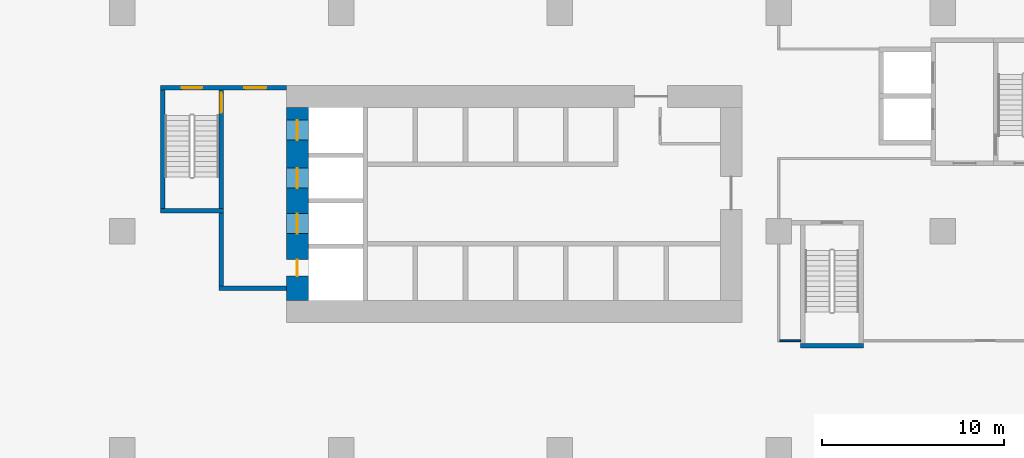
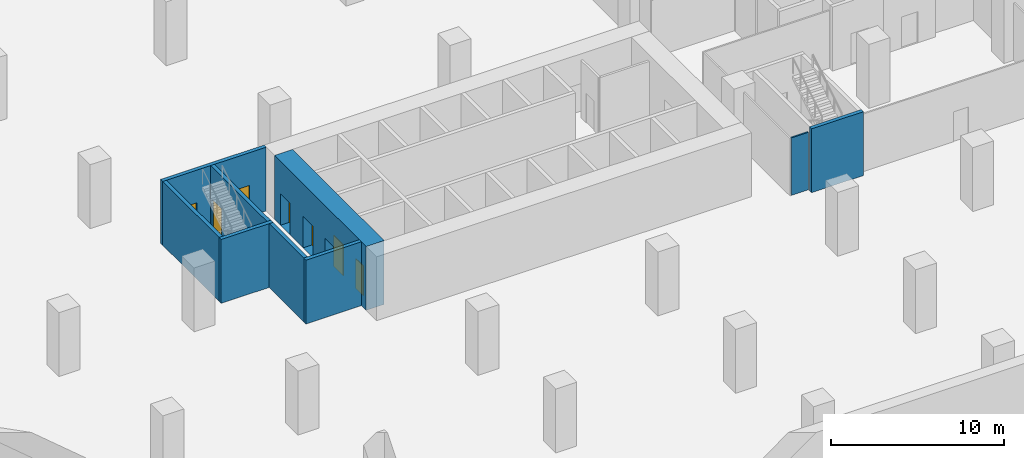
# One storey, part 2 of 9: 9 walls, 7 doors, 7 openings.
"""IFC4 building model written with IfcOpenShell, lengths in metres."""

from ifc_helpers import new_model, si_unit, direction, frame, frame_2d, origin, place, context, subcontext, project, spatial, rectangle, extrude, material, layer, layer_set, type_object, element, fill, save


model = new_model("IFC4")

# Units and contexts
model_context = context("Model", 3, precision=1e-05, world=origin(), true_north=direction((0.0, 1.0)))
body_context = subcontext(model_context, "Body", "Model", "MODEL_VIEW")
ifc_project = project(units=[si_unit("LENGTHUNIT", "METRE"), si_unit("AREAUNIT", "SQUARE_METRE"), si_unit("VOLUMEUNIT", "CUBIC_METRE"), si_unit("PLANEANGLEUNIT", "RADIAN"), si_unit("MASSUNIT", "GRAM", prefix="KILO")], contexts=[model_context])

# Site, building, storey
site_placement = place(None, origin())
site = spatial("IfcSite", under=ifc_project, at=site_placement, CompositionType="ELEMENT")
building_placement = place(site_placement, origin())
building = spatial("IfcBuilding", under=site, at=building_placement, Name="Chenar Terraces", CompositionType="ELEMENT")
storey_placement = place(building_placement, frame((0.0, 0.0, -4.5)))
storey = spatial("IfcBuildingStorey", under=building, at=storey_placement, Name="B1", CompositionType="ELEMENT", Elevation=-4.5)

# Wall, openings, doors
ifc_material_1 = material(Name="Concrete C70/85", Category="concrete")
ifc_layer_1 = layer(ifc_material_1, 1.199951171875)
ifc_layer_set_1 = layer_set([ifc_layer_1], Name="Concrete C70/85")
wall_type_1 = type_object("IfcWallType", Name="Core wall 1200 Concrete C70/85", PredefinedType="SHEAR", material=ifc_layer_set_1)
wall_1_placement = place(storey_placement, frame((9.60009765625, 8.199951171875, 0.0), z_axis=(0.0, 0.0, 1.0), x_axis=(0.0, 1.0, 0.0)))
wall_1 = element("IfcWall", 1, at=wall_1_placement, inside=storey, type_object=wall_type_1, Name="Core wall W B1", PredefinedType="SHEAR", context=body_context, shape_type="SweptSolid", body=[
    extrude(rectangle(XDim=10.60009765625, YDim=1.199951171875, at=frame_2d((5.300048828125, 0.0))), origin(), (0.0, 0.0, 1.0), 4.5),
])
opening_1_placement = place(wall_1_placement, frame((3.675048828125, 0.0, 0.0)))
opening_1 = element("IfcOpeningElement", 2, at=opening_1_placement, cuts=wall_1, Name="Opening DB1-LD1", PredefinedType="OPENING", context=body_context, shape_type="SweptSolid", body=[
    extrude(rectangle(XDim=1.10009765625, YDim=2.199951171875, at=frame_2d((0.550048828125, 1.10009765625))), frame((0.0, 0.60986328125, 0.0), z_axis=(0.0, -1.0, 0.0), x_axis=(1.0, 0.0, 0.0)), (0.0, 0.0, 1.0), 1.219970703125),
])
opening_2_placement = place(wall_1_placement, frame((6.175048828125, 0.0, 0.0)))
opening_2 = element("IfcOpeningElement", 3, at=opening_2_placement, cuts=wall_1, Name="Opening DB1-LD2", PredefinedType="OPENING", context=body_context, shape_type="SweptSolid", body=[
    extrude(rectangle(XDim=1.10009765625, YDim=2.199951171875, at=frame_2d((0.550048828125, 1.10009765625))), frame((0.0, 0.60986328125, 0.0), z_axis=(0.0, -1.0, 0.0), x_axis=(1.0, 0.0, 0.0)), (0.0, 0.0, 1.0), 1.219970703125),
])
opening_3_placement = place(wall_1_placement, frame((8.800048828125, 0.0, 0.0)))
opening_3 = element("IfcOpeningElement", 4, at=opening_3_placement, cuts=wall_1, Name="Opening DB1-LD3", PredefinedType="OPENING", context=body_context, shape_type="SweptSolid", body=[
    extrude(rectangle(XDim=1.10009765625, YDim=2.199951171875, at=frame_2d((0.550048828125, 1.10009765625))), frame((0.0, 0.60986328125, 0.0), z_axis=(0.0, -1.0, 0.0), x_axis=(1.0, 0.0, 0.0)), (0.0, 0.0, 1.0), 1.219970703125),
])
opening_4_placement = place(wall_1_placement, frame((1.35009765625, 0.0, 0.0)))
opening_4 = element("IfcOpeningElement", 5, at=opening_4_placement, cuts=wall_1, Name="Opening DB1-C4", PredefinedType="OPENING", context=body_context, shape_type="SweptSolid", body=[
    extrude(rectangle(XDim=0.89990234375, YDim=2.10009765625, at=frame_2d((0.449951171875, 1.050048828125))), frame((0.0, 0.60986328125, 0.0), z_axis=(0.0, -1.0, 0.0), x_axis=(1.0, 0.0, 0.0)), (0.0, 0.0, 1.0), 1.219970703125),
])
ifc_material_2 = material(Name="Stainless steel", Category="steel")
door_type_1 = type_object("IfcDoorType", Name="Lift landing door 1100 x 2200 sliding", OperationType="DOUBLE_DOOR_SLIDING", PredefinedType="DOOR", material=ifc_material_2)
door_1_placement = place(opening_1_placement, origin())
door_1 = element("IfcDoor", 6, at=door_1_placement, inside=storey, type_object=door_type_1, Name="Landing door S1", OperationType="DOUBLE_DOOR_SLIDING", OverallHeight=2.199951171875, OverallWidth=1.10009765625, PredefinedType="DOOR", context=body_context, shape_type="SweptSolid", body=[
    extrude(rectangle(XDim=1.10009765625, YDim=2.199951171875, at=frame_2d((0.550048828125, 1.10009765625))), frame((0.0, 0.02490234375, 0.0), z_axis=(0.0, -1.0, 0.0), x_axis=(1.0, 0.0, 0.0)), (0.0, 0.0, 1.0), 0.050048828125),
])
fill(opening_1, door_1)
door_2_placement = place(opening_2_placement, origin())
door_2 = element("IfcDoor", 7, at=door_2_placement, inside=storey, type_object=door_type_1, Name="Landing door F1", OperationType="DOUBLE_DOOR_SLIDING", OverallHeight=2.199951171875, OverallWidth=1.10009765625, PredefinedType="DOOR", context=body_context, shape_type="SweptSolid", body=[
    extrude(rectangle(XDim=1.10009765625, YDim=2.199951171875, at=frame_2d((0.550048828125, 1.10009765625))), frame((0.0, 0.02490234375, 0.0), z_axis=(0.0, -1.0, 0.0), x_axis=(1.0, 0.0, 0.0)), (0.0, 0.0, 1.0), 0.050048828125),
])
fill(opening_2, door_2)
door_3_placement = place(opening_3_placement, origin())
door_3 = element("IfcDoor", 8, at=door_3_placement, inside=storey, type_object=door_type_1, Name="Landing door F2", OperationType="DOUBLE_DOOR_SLIDING", OverallHeight=2.199951171875, OverallWidth=1.10009765625, PredefinedType="DOOR", context=body_context, shape_type="SweptSolid", body=[
    extrude(rectangle(XDim=1.10009765625, YDim=2.199951171875, at=frame_2d((0.550048828125, 1.10009765625))), frame((0.0, 0.02490234375, 0.0), z_axis=(0.0, -1.0, 0.0), x_axis=(1.0, 0.0, 0.0)), (0.0, 0.0, 1.0), 0.050048828125),
])
fill(opening_3, door_3)
ifc_material_3 = material(Name="Steel-framed fire-resisting door leaf", Category="steel")
door_type_2 = type_object("IfcDoorType", Name="Riser fire door FD60 900 x 2100", OperationType="SINGLE_SWING_LEFT", PredefinedType="DOOR", material=ifc_material_3)
door_4_placement = place(opening_4_placement, frame((0.89990234375, 0.0, 0.0), z_axis=(0.0, 0.0, 1.0), x_axis=(-1.0, 0.0, 0.0)))
door_4 = element("IfcDoor", 9, at=door_4_placement, inside=storey, type_object=door_type_2, Name="Riser door DB1-C4", OperationType="SINGLE_SWING_RIGHT", OverallHeight=2.10009765625, OverallWidth=0.89990234375, PredefinedType="DOOR", context=body_context, shape_type="SweptSolid", body=[
    extrude(rectangle(XDim=0.89990234375, YDim=2.10009765625, at=frame_2d((0.449951171875, 1.050048828125))), frame((0.0, 0.02490234375, 0.0), z_axis=(0.0, -1.0, 0.0), x_axis=(1.0, 0.0, 0.0)), (0.0, 0.0, 1.0), 0.050048828125),
])
fill(opening_4, door_4)

ifc_material_4 = material(Name="Concrete C70/85", Category="concrete")
ifc_layer_2 = layer(ifc_material_4, 0.25)
ifc_layer_set_2 = layer_set([ifc_layer_2], Name="Concrete C70/85")
wall_type_2 = type_object("IfcWallType", Name="Core wall 250 Concrete C70/85", PredefinedType="SHEAR", material=ifc_layer_set_2)
wall_2_placement = place(storey_placement, frame((2.10009765625, 19.875, 0.0), z_axis=(0.0, 0.0, 1.0), x_axis=(1.0, 0.0, 0.0)))
wall_2 = element("IfcWall", 10, at=wall_2_placement, inside=storey, type_object=wall_type_2, Name="Core wall A_N B1", PredefinedType="SHEAR", context=body_context, shape_type="SweptSolid", body=[
    extrude(rectangle(XDim=6.89990234375, YDim=0.25, at=frame_2d((3.449951171875, 0.0))), origin(), (0.0, 0.0, 1.0), 4.5),
])
opening_5_placement = place(wall_2_placement, frame((1.175048828125, 0.0, 0.0)))
opening_5 = element("IfcOpeningElement", 11, at=opening_5_placement, cuts=wall_2, Name="Opening DB1-C5", PredefinedType="OPENING", context=body_context, shape_type="SweptSolid", body=[
    extrude(rectangle(XDim=1.10009765625, YDim=2.199951171875, at=frame_2d((0.550048828125, 1.10009765625))), frame((0.0, 0.135009765625, 0.0), z_axis=(0.0, -1.0, 0.0), x_axis=(1.0, 0.0, 0.0)), (0.0, 0.0, 1.0), 0.27001953125),
])
opening_6_placement = place(wall_2_placement, frame((4.60009765625, 0.0, 0.0)))
opening_6 = element("IfcOpeningElement", 12, at=opening_6_placement, cuts=wall_2, Name="Opening DB1-C6", PredefinedType="OPENING", context=body_context, shape_type="SweptSolid", body=[
    extrude(rectangle(XDim=1.199951171875, YDim=2.199951171875, at=frame_2d((0.60009765625, 1.10009765625))), frame((0.0, 0.135009765625, 0.0), z_axis=(0.0, -1.0, 0.0), x_axis=(1.0, 0.0, 0.0)), (0.0, 0.0, 1.0), 0.27001953125),
])
ifc_material_5 = material(Name="Steel-framed fire-resisting door leaf", Category="steel")
door_type_3 = type_object("IfcDoorType", Name="Lobby fire door FD60 1200 x 2200", OperationType="SINGLE_SWING_LEFT", PredefinedType="DOOR", material=ifc_material_5)
door_5_placement = place(opening_6_placement, origin())
door_5 = element("IfcDoor", 13, at=door_5_placement, inside=storey, type_object=door_type_3, Name="Core door DB1-C6", OperationType="SINGLE_SWING_LEFT", OverallHeight=2.199951171875, OverallWidth=1.199951171875, PredefinedType="DOOR", context=body_context, shape_type="SweptSolid", body=[
    extrude(rectangle(XDim=1.199951171875, YDim=2.199951171875, at=frame_2d((0.60009765625, 1.10009765625))), frame((0.0, 0.02490234375, 0.0), z_axis=(0.0, -1.0, 0.0), x_axis=(1.0, 0.0, 0.0)), (0.0, 0.0, 1.0), 0.050048828125),
])
fill(opening_6, door_5)
ifc_material_6 = material(Name="Steel-framed fire-resisting door leaf", Category="steel")
door_type_4 = type_object("IfcDoorType", Name="Stair fire door FD60 1100 x 2200", OperationType="SINGLE_SWING_LEFT", PredefinedType="DOOR", material=ifc_material_6)
door_6_placement = place(opening_5_placement, origin())
door_6 = element("IfcDoor", 14, at=door_6_placement, inside=storey, type_object=door_type_4, Name="Stair door DB1-C5", OperationType="SINGLE_SWING_LEFT", OverallHeight=2.199951171875, OverallWidth=1.10009765625, PredefinedType="DOOR", context=body_context, shape_type="SweptSolid", body=[
    extrude(rectangle(XDim=1.10009765625, YDim=2.199951171875, at=frame_2d((0.550048828125, 1.10009765625))), frame((0.0, 0.02490234375, 0.0), z_axis=(0.0, -1.0, 0.0), x_axis=(1.0, 0.0, 0.0)), (0.0, 0.0, 1.0), 0.050048828125),
])
fill(opening_5, door_6)

# Walls
wall_3_placement = place(storey_placement, frame((2.10009765625, 13.125, 0.0), z_axis=(0.0, 0.0, 1.0), x_axis=(1.0, 0.0, 0.0)))
element("IfcWall", 15, at=wall_3_placement, inside=storey, type_object=wall_type_2, Name="Core wall ST1_S B1", PredefinedType="SHEAR", context=body_context, shape_type="SweptSolid", body=[
    extrude(rectangle(XDim=3.449951171875, YDim=0.25, at=frame_2d((1.72509765625, 0.0))), origin(), (0.0, 0.0, 1.0), 4.5),
])
wall_4_placement = place(storey_placement, frame((2.22509765625, 13.25, 0.0), z_axis=(0.0, 0.0, 1.0), x_axis=(0.0, 1.0, 0.0)))
element("IfcWall", 16, at=wall_4_placement, inside=storey, type_object=wall_type_2, Name="Core wall ST1_W B1", PredefinedType="SHEAR", context=body_context, shape_type="SweptSolid", body=[
    extrude(rectangle(XDim=6.5, YDim=0.25, at=frame_2d((3.25, 0.0))), origin(), (0.0, 0.0, 1.0), 4.5),
])

# Wall, opening, door
wall_5_placement = place(storey_placement, frame((5.425048828125, 13.25, 0.0), z_axis=(0.0, 0.0, 1.0), x_axis=(0.0, 1.0, 0.0)))
wall_5 = element("IfcWall", 17, at=wall_5_placement, inside=storey, type_object=wall_type_2, Name="Core wall ST1_E B1", PredefinedType="SHEAR", context=body_context, shape_type="SweptSolid", body=[
    extrude(rectangle(XDim=6.5, YDim=0.25, at=frame_2d((3.25, 0.0))), origin(), (0.0, 0.0, 1.0), 4.5),
])
opening_7_placement = place(wall_5_placement, frame((5.25, 0.0, 0.0)))
opening_7 = element("IfcOpeningElement", 18, at=opening_7_placement, cuts=wall_5, Name="Opening DB1-C3", PredefinedType="OPENING", context=body_context, shape_type="SweptSolid", body=[
    extrude(rectangle(XDim=1.10009765625, YDim=2.199951171875, at=frame_2d((0.550048828125, 1.10009765625))), frame((0.0, 0.135009765625, 0.0), z_axis=(0.0, -1.0, 0.0), x_axis=(1.0, 0.0, 0.0)), (0.0, 0.0, 1.0), 0.27001953125),
])
door_7_placement = place(opening_7_placement, origin())
door_7 = element("IfcDoor", 19, at=door_7_placement, inside=storey, type_object=door_type_4, Name="Stair door DB1-C3", OperationType="SINGLE_SWING_RIGHT", OverallHeight=2.199951171875, OverallWidth=1.10009765625, PredefinedType="DOOR", context=body_context, shape_type="SweptSolid", body=[
    extrude(rectangle(XDim=1.10009765625, YDim=2.199951171875, at=frame_2d((0.550048828125, 1.10009765625))), frame((0.0, 0.02490234375, 0.0), z_axis=(0.0, -1.0, 0.0), x_axis=(1.0, 0.0, 0.0)), (0.0, 0.0, 1.0), 0.050048828125),
])
fill(opening_7, door_7)

# Walls
wall_6_placement = place(storey_placement, frame((5.300048828125, 8.875, 0.0), z_axis=(0.0, 0.0, 1.0), x_axis=(1.0, 0.0, 0.0)))
element("IfcWall", 20, at=wall_6_placement, inside=storey, type_object=wall_type_2, Name="Core wall FFL_S B1", PredefinedType="SHEAR", context=body_context, shape_type="SweptSolid", body=[
    extrude(rectangle(XDim=3.699951171875, YDim=0.25, at=frame_2d((1.85009765625, 0.0))), origin(), (0.0, 0.0, 1.0), 4.5),
])
wall_7_placement = place(storey_placement, frame((5.425048828125, 9.0, 0.0), z_axis=(0.0, 0.0, 1.0), x_axis=(0.0, 1.0, 0.0)))
element("IfcWall", 21, at=wall_7_placement, inside=storey, type_object=wall_type_2, Name="Core wall FFL_W B1", PredefinedType="SHEAR", context=body_context, shape_type="SweptSolid", body=[
    extrude(rectangle(XDim=4.0, YDim=0.25, at=frame_2d((2.0, 0.0))), origin(), (0.0, 0.0, 1.0), 4.5),
])
wall_8_placement = place(storey_placement, frame((37.199951171875, 5.72509765625, 0.0), z_axis=(0.0, 0.0, 1.0), x_axis=(1.0, 0.0, 0.0)))
element("IfcWall", 22, at=wall_8_placement, inside=storey, type_object=wall_type_2, Name="Core wall ST2_S B1", PredefinedType="SHEAR", context=body_context, shape_type="SweptSolid", body=[
    extrude(rectangle(XDim=3.449951171875, YDim=0.25, at=frame_2d((1.72509765625, 0.0))), origin(), (0.0, 0.0, 1.0), 4.5),
])
ifc_material_7 = material(Name="Gypsum board on steel studs", Category="steel")
ifc_layer_3 = layer(ifc_material_7, 0.10009765625)
ifc_layer_set_3 = layer_set([ifc_layer_3], Name="Gypsum board on steel studs")
wall_type_3 = type_object("IfcWallType", Name="Gypsum partition 100", PredefinedType="PARTITIONING", material=ifc_layer_set_3)
wall_9_placement = place(storey_placement, frame((36.050048828125, 6.0, 0.0), z_axis=(0.0, 0.0, 1.0), x_axis=(1.0, 0.0, 0.0)))
element("IfcWall", 23, at=wall_9_placement, inside=storey, type_object=wall_type_3, Name="Partition B1-008", PredefinedType="PARTITIONING", context=body_context, shape_type="SweptSolid", body=[
    extrude(rectangle(XDim=1.14990234375, YDim=0.10009765625, at=frame_2d((0.574951171875, 0.0))), origin(), (0.0, 0.0, 1.0), 4.050048828125),
])

save(model, "model.ifc")
